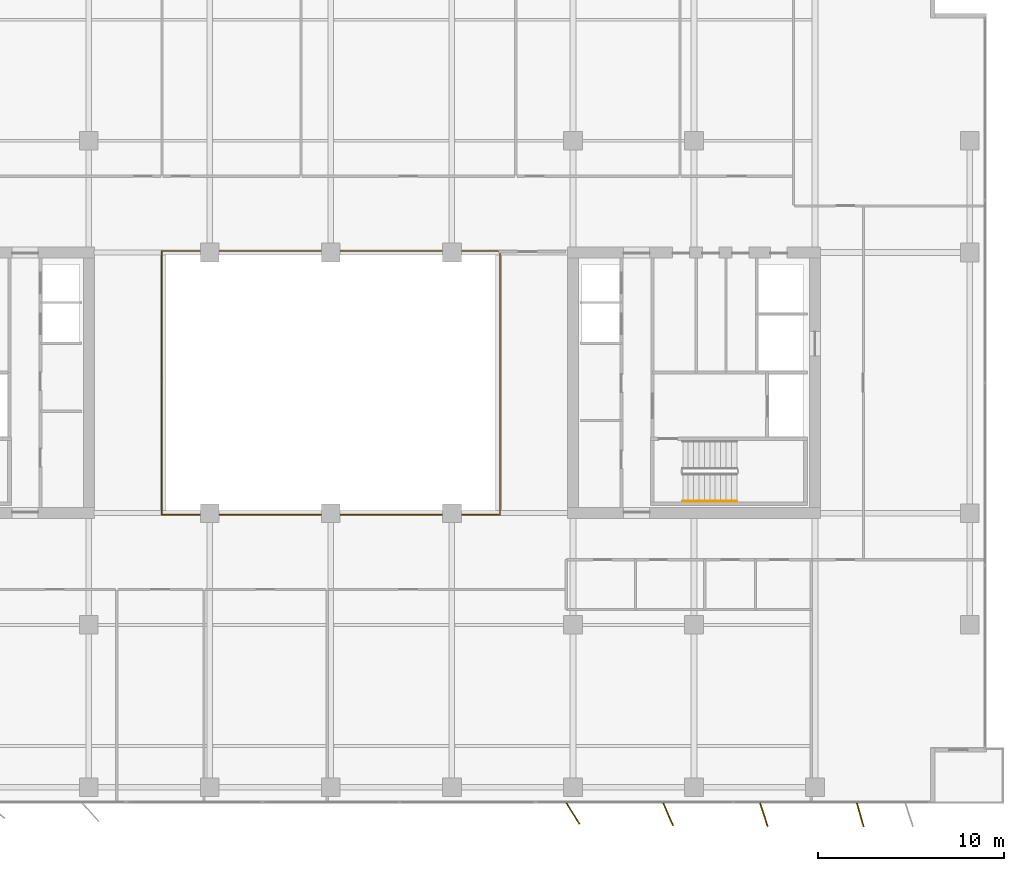
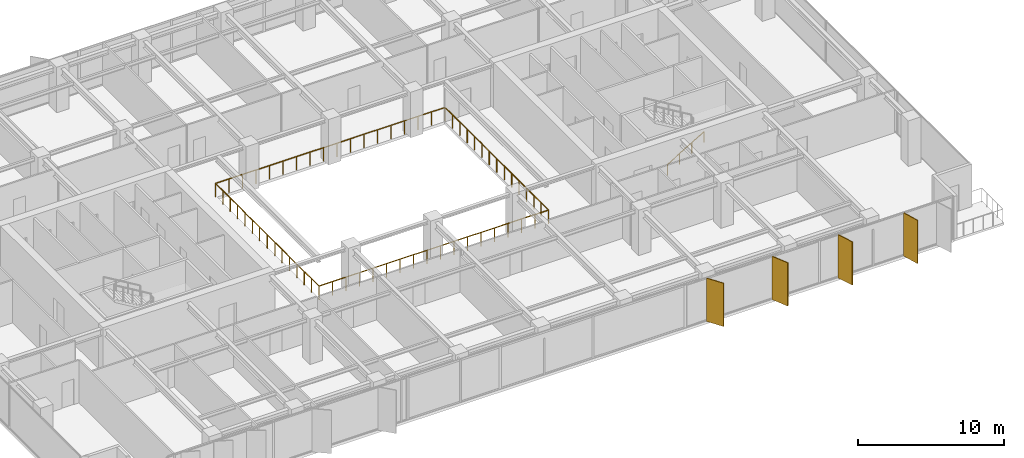
# One storey, part 20 of 22: 4 shading devices, 3 railings.
"""IFC4 building model written with IfcOpenShell, lengths in metres."""

from ifc_helpers import new_model, si_unit, direction, frame, origin, origin_2d, place, context, subcontext, project, spatial, rectangle, circle, extrude, material, layer, layer_set, type_object, element, save


model = new_model("IFC4")

# Units and contexts
model_context = context("Model", 3, precision=1e-05, world=origin(), true_north=direction((0.0, 1.0)))
body_context = subcontext(model_context, "Body", "Model", "MODEL_VIEW")
ifc_project = project(units=[si_unit("LENGTHUNIT", "METRE"), si_unit("AREAUNIT", "SQUARE_METRE"), si_unit("VOLUMEUNIT", "CUBIC_METRE"), si_unit("PLANEANGLEUNIT", "RADIAN"), si_unit("MASSUNIT", "GRAM", prefix="KILO")], contexts=[model_context])

# Site, building, storey
site_placement = place(None, origin())
site = spatial("IfcSite", under=ifc_project, at=site_placement, CompositionType="ELEMENT")
building_placement = place(site_placement, origin())
building = spatial("IfcBuilding", under=site, at=building_placement, Name="Putna Gate Headquarters", CompositionType="ELEMENT")
storey_placement = place(building_placement, frame((0.0, 0.0, 182.199951171875)))
storey = spatial("IfcBuildingStorey", under=building, at=storey_placement, Name="L45", CompositionType="ELEMENT", Elevation=182.199951171875)

# Railings
ifc_material_1 = material(Name="Anodised bronze and laminated glass atrium balustrade", Category="glass")
railing_type_1 = type_object("IfcRailingType", Name="RAIL-ATRIUM-GUARD-1150", PredefinedType="GUARDRAIL", material=ifc_material_1)
railing_1_placement = place(storey_placement, frame((29.919921875, 25.969970703125, 0.0)))
element("IfcRailing", 1, at=railing_1_placement, inside=storey, type_object=railing_type_1, Name="L45 Central Atrium Glazed Balustrade South", PredefinedType="GUARDRAIL", context=body_context, shape_type="SweptSolid", body=[
    extrude(circle(Radius=0.02392578125, at=origin_2d()), frame((0.0, 0.0, 1.1259765625), z_axis=(0.0, -1.0, 0.0), x_axis=(1.0, 0.0, 0.0)), (0.0, 0.0, 1.0), 7.050048828125),
    extrude(circle(Radius=0.02392578125, at=origin_2d()), frame((0.0, -7.050048828125, 1.1259765625), z_axis=(1.0, 0.0, 0.0), x_axis=(0.0, 1.0, 0.0)), (0.0, 0.0, 1.0), 18.16015625),
    extrude(circle(Radius=0.02392578125, at=origin_2d()), frame((18.16015625, -7.050048828125, 1.1259765625), z_axis=(0.0, 1.0, 0.0), x_axis=(-1.0, 0.0, 0.0)), (0.0, 0.0, 1.0), 7.050048828125),
    extrude(circle(Radius=0.02099609375, at=origin_2d()), origin(), (0.0, 0.0, 1.0), 1.101806640625),
    extrude(circle(Radius=0.02099609375, at=origin_2d()), frame((0.0, -1.007080078125, 0.0)), (0.0, 0.0, 1.0), 1.101806640625),
    extrude(circle(Radius=0.02099609375, at=origin_2d()), frame((0.0, -2.014404296875, 0.0)), (0.0, 0.0, 1.0), 1.101806640625),
    extrude(circle(Radius=0.02099609375, at=origin_2d()), frame((0.0, -3.021484375, 0.0)), (0.0, 0.0, 1.0), 1.101806640625),
    extrude(circle(Radius=0.02099609375, at=origin_2d()), frame((0.0, -4.028564453125, 0.0)), (0.0, 0.0, 1.0), 1.101806640625),
    extrude(circle(Radius=0.02099609375, at=origin_2d()), frame((0.0, -5.03564453125, 0.0)), (0.0, 0.0, 1.0), 1.101806640625),
    extrude(circle(Radius=0.02099609375, at=origin_2d()), frame((0.0, -6.04296875, 0.0)), (0.0, 0.0, 1.0), 1.101806640625),
    extrude(circle(Radius=0.02099609375, at=origin_2d()), frame((0.0, -7.050048828125, 0.0)), (0.0, 0.0, 1.0), 1.101806640625),
    extrude(circle(Radius=0.02099609375, at=origin_2d()), frame((1.068359375, -7.050048828125, 0.0)), (0.0, 0.0, 1.0), 1.101806640625),
    extrude(circle(Radius=0.02099609375, at=origin_2d()), frame((2.136474609375, -7.050048828125, 0.0)), (0.0, 0.0, 1.0), 1.101806640625),
    extrude(circle(Radius=0.02099609375, at=origin_2d()), frame((3.204833984375, -7.050048828125, 0.0)), (0.0, 0.0, 1.0), 1.101806640625),
    extrude(circle(Radius=0.02099609375, at=origin_2d()), frame((4.27294921875, -7.050048828125, 0.0)), (0.0, 0.0, 1.0), 1.101806640625),
    extrude(circle(Radius=0.02099609375, at=origin_2d()), frame((5.34130859375, -7.050048828125, 0.0)), (0.0, 0.0, 1.0), 1.101806640625),
    extrude(circle(Radius=0.02099609375, at=origin_2d()), frame((6.409423828125, -7.050048828125, 0.0)), (0.0, 0.0, 1.0), 1.101806640625),
    extrude(circle(Radius=0.02099609375, at=origin_2d()), frame((7.477783203125, -7.050048828125, 0.0)), (0.0, 0.0, 1.0), 1.101806640625),
    extrude(circle(Radius=0.02099609375, at=origin_2d()), frame((8.5458984375, -7.050048828125, 0.0)), (0.0, 0.0, 1.0), 1.101806640625),
    extrude(circle(Radius=0.02099609375, at=origin_2d()), frame((9.6142578125, -7.050048828125, 0.0)), (0.0, 0.0, 1.0), 1.101806640625),
    extrude(circle(Radius=0.02099609375, at=origin_2d()), frame((10.682373046875, -7.050048828125, 0.0)), (0.0, 0.0, 1.0), 1.101806640625),
    extrude(circle(Radius=0.02099609375, at=origin_2d()), frame((11.750732421875, -7.050048828125, 0.0)), (0.0, 0.0, 1.0), 1.101806640625),
    extrude(circle(Radius=0.02099609375, at=origin_2d()), frame((12.81884765625, -7.050048828125, 0.0)), (0.0, 0.0, 1.0), 1.101806640625),
    extrude(circle(Radius=0.02099609375, at=origin_2d()), frame((13.88720703125, -7.050048828125, 0.0)), (0.0, 0.0, 1.0), 1.101806640625),
    extrude(circle(Radius=0.02099609375, at=origin_2d()), frame((14.955322265625, -7.050048828125, 0.0)), (0.0, 0.0, 1.0), 1.101806640625),
    extrude(circle(Radius=0.02099609375, at=origin_2d()), frame((16.023681640625, -7.050048828125, 0.0)), (0.0, 0.0, 1.0), 1.101806640625),
    extrude(circle(Radius=0.02099609375, at=origin_2d()), frame((17.091796875, -7.050048828125, 0.0)), (0.0, 0.0, 1.0), 1.101806640625),
    extrude(circle(Radius=0.02099609375, at=origin_2d()), frame((18.16015625, -7.050048828125, 0.0)), (0.0, 0.0, 1.0), 1.101806640625),
    extrude(circle(Radius=0.02099609375, at=origin_2d()), frame((18.16015625, -6.04296875, 0.0)), (0.0, 0.0, 1.0), 1.101806640625),
    extrude(circle(Radius=0.02099609375, at=origin_2d()), frame((18.16015625, -5.03564453125, 0.0)), (0.0, 0.0, 1.0), 1.101806640625),
    extrude(circle(Radius=0.02099609375, at=origin_2d()), frame((18.16015625, -4.028564453125, 0.0)), (0.0, 0.0, 1.0), 1.101806640625),
    extrude(circle(Radius=0.02099609375, at=origin_2d()), frame((18.16015625, -3.021484375, 0.0)), (0.0, 0.0, 1.0), 1.101806640625),
    extrude(circle(Radius=0.02099609375, at=origin_2d()), frame((18.16015625, -2.014404296875, 0.0)), (0.0, 0.0, 1.0), 1.101806640625),
    extrude(circle(Radius=0.02099609375, at=origin_2d()), frame((18.16015625, -1.007080078125, 0.0)), (0.0, 0.0, 1.0), 1.101806640625),
    extrude(circle(Radius=0.02099609375, at=origin_2d()), frame((18.16015625, 0.0, 0.0)), (0.0, 0.0, 1.0), 1.101806640625),
])
railing_2_placement = place(storey_placement, frame((48.080078125, 26.030029296875, 0.0)))
element("IfcRailing", 2, at=railing_2_placement, inside=storey, type_object=railing_type_1, Name="L45 Central Atrium Glazed Balustrade North", PredefinedType="GUARDRAIL", context=body_context, shape_type="SweptSolid", body=[
    extrude(circle(Radius=0.02392578125, at=origin_2d()), frame((0.0, 0.0, 1.1259765625), z_axis=(0.0, 1.0, 0.0), x_axis=(-1.0, 0.0, 0.0)), (0.0, 0.0, 1.0), 7.050048828125),
    extrude(circle(Radius=0.02392578125, at=origin_2d()), frame((0.0, 7.050048828125, 1.1259765625), z_axis=(-1.0, 0.0, 0.0), x_axis=(0.0, -1.0, 0.0)), (0.0, 0.0, 1.0), 18.16015625),
    extrude(circle(Radius=0.02392578125, at=origin_2d()), frame((-18.16015625, 7.050048828125, 1.1259765625), z_axis=(0.0, -1.0, 0.0), x_axis=(1.0, 0.0, 0.0)), (0.0, 0.0, 1.0), 7.050048828125),
    extrude(circle(Radius=0.02099609375, at=origin_2d()), origin(), (0.0, 0.0, 1.0), 1.101806640625),
    extrude(circle(Radius=0.02099609375, at=origin_2d()), frame((0.0, 1.007080078125, 0.0)), (0.0, 0.0, 1.0), 1.101806640625),
    extrude(circle(Radius=0.02099609375, at=origin_2d()), frame((0.0, 2.014404296875, 0.0)), (0.0, 0.0, 1.0), 1.101806640625),
    extrude(circle(Radius=0.02099609375, at=origin_2d()), frame((0.0, 3.021484375, 0.0)), (0.0, 0.0, 1.0), 1.101806640625),
    extrude(circle(Radius=0.02099609375, at=origin_2d()), frame((0.0, 4.028564453125, 0.0)), (0.0, 0.0, 1.0), 1.101806640625),
    extrude(circle(Radius=0.02099609375, at=origin_2d()), frame((0.0, 5.03564453125, 0.0)), (0.0, 0.0, 1.0), 1.101806640625),
    extrude(circle(Radius=0.02099609375, at=origin_2d()), frame((0.0, 6.04296875, 0.0)), (0.0, 0.0, 1.0), 1.101806640625),
    extrude(circle(Radius=0.02099609375, at=origin_2d()), frame((0.0, 7.050048828125, 0.0)), (0.0, 0.0, 1.0), 1.101806640625),
    extrude(circle(Radius=0.02099609375, at=origin_2d()), frame((-1.068359375, 7.050048828125, 0.0)), (0.0, 0.0, 1.0), 1.101806640625),
    extrude(circle(Radius=0.02099609375, at=origin_2d()), frame((-2.136474609375, 7.050048828125, 0.0)), (0.0, 0.0, 1.0), 1.101806640625),
    extrude(circle(Radius=0.02099609375, at=origin_2d()), frame((-3.204833984375, 7.050048828125, 0.0)), (0.0, 0.0, 1.0), 1.101806640625),
    extrude(circle(Radius=0.02099609375, at=origin_2d()), frame((-4.27294921875, 7.050048828125, 0.0)), (0.0, 0.0, 1.0), 1.101806640625),
    extrude(circle(Radius=0.02099609375, at=origin_2d()), frame((-5.34130859375, 7.050048828125, 0.0)), (0.0, 0.0, 1.0), 1.101806640625),
    extrude(circle(Radius=0.02099609375, at=origin_2d()), frame((-6.409423828125, 7.050048828125, 0.0)), (0.0, 0.0, 1.0), 1.101806640625),
    extrude(circle(Radius=0.02099609375, at=origin_2d()), frame((-7.477783203125, 7.050048828125, 0.0)), (0.0, 0.0, 1.0), 1.101806640625),
    extrude(circle(Radius=0.02099609375, at=origin_2d()), frame((-8.5458984375, 7.050048828125, 0.0)), (0.0, 0.0, 1.0), 1.101806640625),
    extrude(circle(Radius=0.02099609375, at=origin_2d()), frame((-9.6142578125, 7.050048828125, 0.0)), (0.0, 0.0, 1.0), 1.101806640625),
    extrude(circle(Radius=0.02099609375, at=origin_2d()), frame((-10.682373046875, 7.050048828125, 0.0)), (0.0, 0.0, 1.0), 1.101806640625),
    extrude(circle(Radius=0.02099609375, at=origin_2d()), frame((-11.750732421875, 7.050048828125, 0.0)), (0.0, 0.0, 1.0), 1.101806640625),
    extrude(circle(Radius=0.02099609375, at=origin_2d()), frame((-12.81884765625, 7.050048828125, 0.0)), (0.0, 0.0, 1.0), 1.101806640625),
    extrude(circle(Radius=0.02099609375, at=origin_2d()), frame((-13.88720703125, 7.050048828125, 0.0)), (0.0, 0.0, 1.0), 1.101806640625),
    extrude(circle(Radius=0.02099609375, at=origin_2d()), frame((-14.955322265625, 7.050048828125, 0.0)), (0.0, 0.0, 1.0), 1.101806640625),
    extrude(circle(Radius=0.02099609375, at=origin_2d()), frame((-16.023681640625, 7.050048828125, 0.0)), (0.0, 0.0, 1.0), 1.101806640625),
    extrude(circle(Radius=0.02099609375, at=origin_2d()), frame((-17.091796875, 7.050048828125, 0.0)), (0.0, 0.0, 1.0), 1.101806640625),
    extrude(circle(Radius=0.02099609375, at=origin_2d()), frame((-18.16015625, 7.050048828125, 0.0)), (0.0, 0.0, 1.0), 1.101806640625),
    extrude(circle(Radius=0.02099609375, at=origin_2d()), frame((-18.16015625, 6.04296875, 0.0)), (0.0, 0.0, 1.0), 1.101806640625),
    extrude(circle(Radius=0.02099609375, at=origin_2d()), frame((-18.16015625, 5.03564453125, 0.0)), (0.0, 0.0, 1.0), 1.101806640625),
    extrude(circle(Radius=0.02099609375, at=origin_2d()), frame((-18.16015625, 4.028564453125, 0.0)), (0.0, 0.0, 1.0), 1.101806640625),
    extrude(circle(Radius=0.02099609375, at=origin_2d()), frame((-18.16015625, 3.021484375, 0.0)), (0.0, 0.0, 1.0), 1.101806640625),
    extrude(circle(Radius=0.02099609375, at=origin_2d()), frame((-18.16015625, 2.014404296875, 0.0)), (0.0, 0.0, 1.0), 1.101806640625),
    extrude(circle(Radius=0.02099609375, at=origin_2d()), frame((-18.16015625, 1.007080078125, 0.0)), (0.0, 0.0, 1.0), 1.101806640625),
    extrude(circle(Radius=0.02099609375, at=origin_2d()), frame((-18.16015625, 0.0, 0.0)), (0.0, 0.0, 1.0), 1.101806640625),
])
ifc_material_2 = material(Name="Brushed stainless steel handrail", Category="steel")
railing_type_2 = type_object("IfcRailingType", Name="RAIL-STAIR-HAND-900", PredefinedType="HANDRAIL", material=ifc_material_2)
railing_3_placement = place(storey_placement, frame((57.89990234375, 19.64990234375, 0.1728515625)))
element("IfcRailing", 3, at=railing_3_placement, inside=storey, type_object=railing_type_2, Name="L45 ST2 stair handrail 1", PredefinedType="HANDRAIL", context=body_context, shape_type="SweptSolid", body=[
    extrude(circle(Radius=0.02392578125, at=origin_2d()), frame((0.0, 0.0, 0.8759765625), z_axis=(0.859160404282, 0.0, 0.51170636083), x_axis=(0.0, 1.0, 0.0)), (0.0, 0.0, 1.0), 3.37548828125),
    extrude(circle(Radius=0.02099609375, at=origin_2d()), origin(), (0.0, 0.0, 1.0), 0.851806640625),
    extrude(circle(Radius=0.02099609375, at=origin_2d()), frame((0.966796875, 0.0, 0.57568359375)), (0.0, 0.0, 1.0), 0.851806640625),
    extrude(circle(Radius=0.02099609375, at=origin_2d()), frame((1.933349609375, 0.0, 1.151611328125)), (0.0, 0.0, 1.0), 0.851806640625),
    extrude(circle(Radius=0.02099609375, at=origin_2d()), frame((2.900146484375, 0.0, 1.727294921875)), (0.0, 0.0, 1.0), 0.851806640625),
])

# Shading devices
ifc_material_3 = material(Name="Anodised architectural bronze aluminium fin", Category="aluminium")
ifc_layer = layer(ifc_material_3, 0.06494140625)
ifc_layer_set = layer_set([ifc_layer], Name="Anodised architectural bronze aluminium fin")
shading_device_type = type_object("IfcShadingDeviceType", Name="SHADE-BRONZE-FIN-1320", PredefinedType="USERDEFINED", material=ifc_layer_set)
for number, where, z_axis, x_axis, name in (
    (4, (52.000244140625, 2.865478515625, -0.02001953125), (0.0, 0.0, 1.0), (0.530659123936, -0.847585331506, 0.0), "L45 Bronze Vertical Shading Fin S7"),
    (5, (57.114501953125, 2.8203125, -0.02001953125), (0.0, 0.0, 1.0), (0.400668879095, -0.916222925562, 0.0), "L45 Bronze Vertical Shading Fin S8"),
    (6, (62.253662109375, 2.797119140625, -0.02001953125), (0.0, 0.0, 1.0), (0.308684994204, -0.951164325631, 0.0), "L45 Bronze Vertical Shading Fin S9"),
    (7, (67.431884765625, 2.79052734375, -0.02001953125), (0.0, 0.0, 1.0), (0.275637355817, -0.961261695938, 0.0), "L45 Bronze Vertical Shading Fin S10"),
):
    element("IfcShadingDevice", number, at=place(storey_placement, frame(where, z_axis=z_axis, x_axis=x_axis)), inside=storey, type_object=shading_device_type, Name=name, ObjectType="FIN", PredefinedType="USERDEFINED", context=body_context, shape_type="SweptSolid", body=[
        extrude(rectangle(XDim=1.320068359375, YDim=0.06494140625, at=origin_2d()), origin(), (0.0, 0.0, 1.0), 3.612060546875),
    ])

save(model, "model.ifc")
